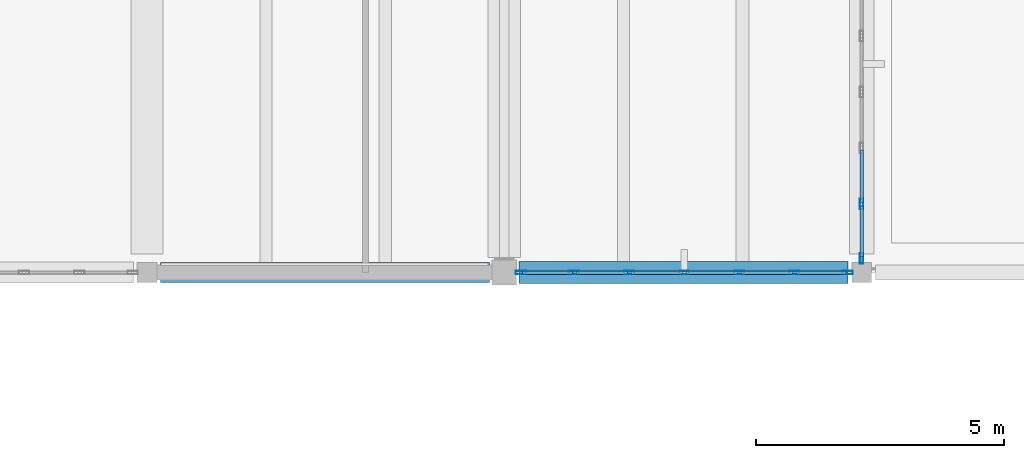
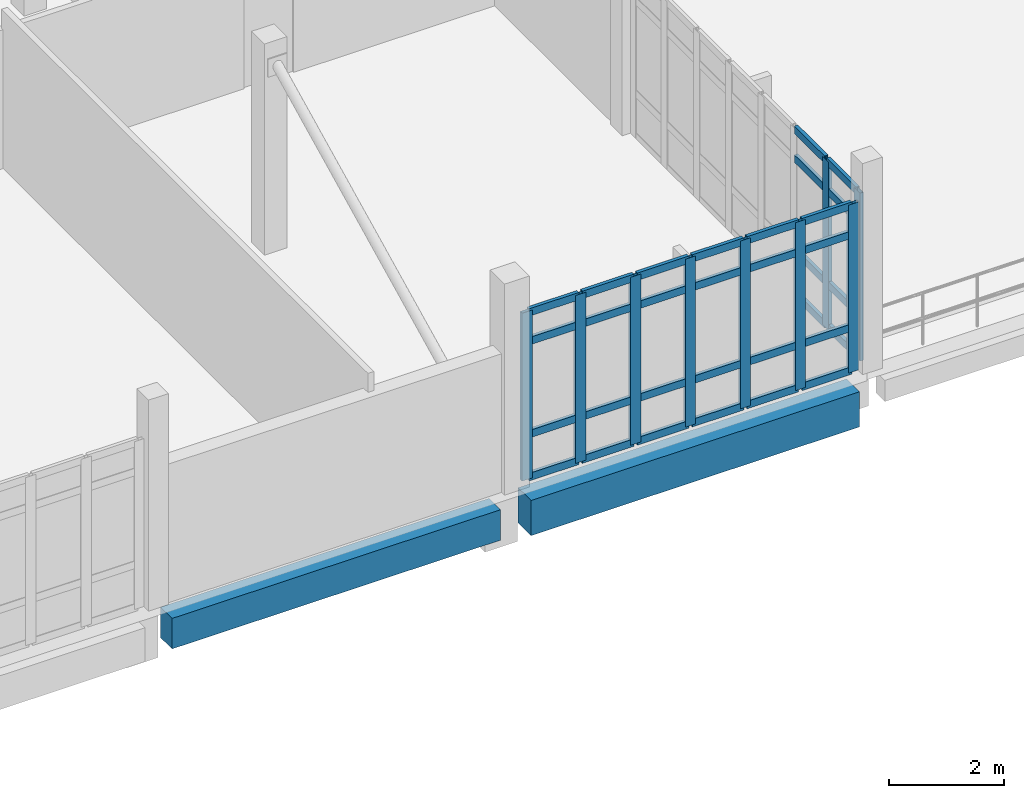
# One storey, part 9 of 34: 41 members, 2 beams, 2 elements without a shape of their own.
"""IFC4 building model written with IfcOpenShell, lengths in metres."""

from ifc_helpers import new_model, si_unit, direction, frame, origin, origin_2d, place, context, subcontext, project, spatial, rectangle, hollow_rectangle, extrude, material, material_profile, profile_set, type_object, element, aggregate, save


model = new_model("IFC4")

# Units and contexts
model_context = context("Model", 3, precision=1e-05, world=origin(), true_north=direction((0.0, 1.0)))
body_context = subcontext(model_context, "Body", "Model", "MODEL_VIEW")
ifc_project = project(units=[si_unit("LENGTHUNIT", "METRE"), si_unit("AREAUNIT", "SQUARE_METRE"), si_unit("VOLUMEUNIT", "CUBIC_METRE"), si_unit("PLANEANGLEUNIT", "RADIAN"), si_unit("MASSUNIT", "GRAM", prefix="KILO")], contexts=[model_context])

# Site, building, storey
site_placement = place(None, origin())
site = spatial("IfcSite", under=ifc_project, at=site_placement, CompositionType="ELEMENT")
building_placement = place(site_placement, origin())
building = spatial("IfcBuilding", under=site, at=building_placement, Name="Kalluvel Institute of Natural Sciences", CompositionType="ELEMENT")
storey_placement = place(building_placement, frame((0.0, 0.0, 36.89990234375)))
storey = spatial("IfcBuildingStorey", under=building, at=storey_placement, Name="L08", CompositionType="ELEMENT", Elevation=36.89990234375)

# Beams
ifc_material_1 = material(Name="Concrete M40", Category="concrete")
ifc_material_profile_1 = material_profile(ifc_material_1, rectangle(XDim=0.39990234375, YDim=0.64990234375, at=origin_2d()), Name="RCB 400x650")
ifc_profile_set_1 = profile_set([ifc_material_profile_1], Name="Concrete M40")
beam_type_1 = type_object("IfcBeamType", Name="BM-RC400x650", PredefinedType="BEAM", material=ifc_profile_set_1)
beam_1_placement = place(storey_placement, frame((71.875, 102.800048828125, -0.64501953125), z_axis=(1.0, 0.0, 0.0), x_axis=(0.0, 1.0, 0.0)))
element("IfcBeam", 1, at=beam_1_placement, inside=storey, type_object=beam_type_1, Name="L08 girder GIR-L08-EW-X716-Y1028", PredefinedType="BEAM", context=body_context, shape_type="SweptSolid", body=[
    extrude(rectangle(XDim=0.39990234375, YDim=0.64990234375, at=origin_2d()), origin(), (0.0, 0.0, 1.0), 6.625),
])
ifc_material_profile_2 = material_profile(ifc_material_1, rectangle(XDim=0.449951171875, YDim=0.75, at=origin_2d()), Name="RCB 450x750")
ifc_profile_set_2 = profile_set([ifc_material_profile_2], Name="Concrete M40")
beam_type_2 = type_object("IfcBeamType", Name="BM-RC450x750", PredefinedType="BEAM", material=ifc_profile_set_2)
beam_2_placement = place(storey_placement, frame((79.10009765625, 102.800048828125, -0.69482421875), z_axis=(1.0, 0.0, 0.0), x_axis=(0.0, 1.0, 0.0)))
element("IfcBeam", 2, at=beam_2_placement, inside=storey, type_object=beam_type_2, Name="L08 girder GIR-L08-EW-X788-Y1028", PredefinedType="BEAM", context=body_context, shape_type="SweptSolid", body=[
    extrude(rectangle(XDim=0.449951171875, YDim=0.75, at=origin_2d()), origin(), (0.0, 0.0, 1.0), 6.625),
])

# Curtain wall, members
ifc_material_2 = material(Name="Aluminium AW-6063 T6", Category="aluminium")
curtain_wall_type = type_object("IfcCurtainWallType", Name="CW-WET-45", PredefinedType="USERDEFINED", material=ifc_material_2)
curtain_wall_1_placement = place(storey_placement, origin())
curtain_wall_1 = element("IfcCurtainWall", 3, at=curtain_wall_1_placement, inside=storey, type_object=curtain_wall_type, Name="L08 Gothic lancet curtain wall CWA-L08-X791-Y1028", ObjectType="UNITISED LANCET FACADE", PredefinedType="USERDEFINED")
ifc_material_profile_3 = material_profile(ifc_material_2, hollow_rectangle(XDim=0.070068359375, YDim=0.2099609375, WallThickness=0.0048828125, at=origin_2d()), Name="CWM 70x210")
ifc_profile_set_3 = profile_set([ifc_material_profile_3], Name="Aluminium AW-6063 T6")
member_type_1 = type_object("IfcMemberType", Name="CWM-70x210", PredefinedType="MULLION", material=ifc_profile_set_3)
member_1_placement = place(storey_placement, frame((79.135009765625, 102.800048828125, 0.0), z_axis=(0.0, 0.0, 1.0), x_axis=(0.0, 1.0, 0.0)))
member_1 = element("IfcMember", 4, at=member_1_placement, type_object=member_type_1, Name="CW-01 mullion 1", PredefinedType="MULLION", context=body_context, shape_type="SweptSolid", body=[
    extrude(hollow_rectangle(XDim=0.070068359375, YDim=0.2099609375, WallThickness=0.0048828125, at=origin_2d()), origin(), (0.0, 0.0, 1.0), 3.580078125),
])
member_2_placement = place(storey_placement, frame((80.208251953125, 102.800048828125, 0.0), z_axis=(0.0, 0.0, 1.0), x_axis=(0.0, 1.0, 0.0)))
member_2 = element("IfcMember", 5, at=member_2_placement, type_object=member_type_1, Name="CW-01 mullion 2", PredefinedType="MULLION", context=body_context, shape_type="SweptSolid", body=[
    extrude(hollow_rectangle(XDim=0.070068359375, YDim=0.2099609375, WallThickness=0.0048828125, at=origin_2d()), origin(), (0.0, 0.0, 1.0), 3.580078125),
])
member_3_placement = place(storey_placement, frame((81.316650390625, 102.800048828125, 0.0), z_axis=(0.0, 0.0, 1.0), x_axis=(0.0, 1.0, 0.0)))
member_3 = element("IfcMember", 6, at=member_3_placement, type_object=member_type_1, Name="CW-01 mullion 3", PredefinedType="MULLION", context=body_context, shape_type="SweptSolid", body=[
    extrude(hollow_rectangle(XDim=0.070068359375, YDim=0.2099609375, WallThickness=0.0048828125, at=origin_2d()), origin(), (0.0, 0.0, 1.0), 3.580078125),
])
member_4_placement = place(storey_placement, frame((82.425048828125, 102.800048828125, 0.0), z_axis=(0.0, 0.0, 1.0), x_axis=(0.0, 1.0, 0.0)))
member_4 = element("IfcMember", 7, at=member_4_placement, type_object=member_type_1, Name="CW-01 mullion 4", PredefinedType="MULLION", context=body_context, shape_type="SweptSolid", body=[
    extrude(hollow_rectangle(XDim=0.070068359375, YDim=0.2099609375, WallThickness=0.0048828125, at=origin_2d()), origin(), (0.0, 0.0, 1.0), 3.580078125),
])
member_5_placement = place(storey_placement, frame((83.533447265625, 102.800048828125, 0.0), z_axis=(0.0, 0.0, 1.0), x_axis=(0.0, 1.0, 0.0)))
member_5 = element("IfcMember", 8, at=member_5_placement, type_object=member_type_1, Name="CW-01 mullion 5", PredefinedType="MULLION", context=body_context, shape_type="SweptSolid", body=[
    extrude(hollow_rectangle(XDim=0.070068359375, YDim=0.2099609375, WallThickness=0.0048828125, at=origin_2d()), origin(), (0.0, 0.0, 1.0), 3.580078125),
])
member_6_placement = place(storey_placement, frame((84.6416015625, 102.800048828125, 0.0), z_axis=(0.0, 0.0, 1.0), x_axis=(0.0, 1.0, 0.0)))
member_6 = element("IfcMember", 9, at=member_6_placement, type_object=member_type_1, Name="CW-01 mullion 6", PredefinedType="MULLION", context=body_context, shape_type="SweptSolid", body=[
    extrude(hollow_rectangle(XDim=0.070068359375, YDim=0.2099609375, WallThickness=0.0048828125, at=origin_2d()), origin(), (0.0, 0.0, 1.0), 3.580078125),
])
member_7_placement = place(storey_placement, frame((85.715087890625, 102.800048828125, 0.0), z_axis=(0.0, 0.0, 1.0), x_axis=(0.0, 1.0, 0.0)))
member_7 = element("IfcMember", 10, at=member_7_placement, type_object=member_type_1, Name="CW-01 mullion 7", PredefinedType="MULLION", context=body_context, shape_type="SweptSolid", body=[
    extrude(hollow_rectangle(XDim=0.070068359375, YDim=0.2099609375, WallThickness=0.0048828125, at=origin_2d()), origin(), (0.0, 0.0, 1.0), 3.580078125),
])

curtain_wall_2_placement = place(storey_placement, origin())
curtain_wall_2 = element("IfcCurtainWall", 11, at=curtain_wall_2_placement, inside=storey, type_object=curtain_wall_type, Name="L08 Gothic lancet curtain wall CWA-L08-X860-Y1030", ObjectType="UNITISED LANCET FACADE", PredefinedType="USERDEFINED")
member_8_placement = place(storey_placement, frame((86.0, 103.0849609375, 0.0), z_axis=(0.0, 0.0, 1.0), x_axis=(-1.0, 0.0, 0.0)))
member_8 = element("IfcMember", 12, at=member_8_placement, type_object=member_type_1, Name="CW-01 mullion 1", PredefinedType="MULLION", context=body_context, shape_type="SweptSolid", body=[
    extrude(hollow_rectangle(XDim=0.070068359375, YDim=0.2099609375, WallThickness=0.0048828125, at=origin_2d()), origin(), (0.0, 0.0, 1.0), 3.580078125),
])
member_9_placement = place(storey_placement, frame((86.0, 104.178466796875, 0.0), z_axis=(0.0, 0.0, 1.0), x_axis=(-1.0, 0.0, 0.0)))
member_9 = element("IfcMember", 13, at=member_9_placement, type_object=member_type_1, Name="CW-01 mullion 2", PredefinedType="MULLION", context=body_context, shape_type="SweptSolid", body=[
    extrude(hollow_rectangle(XDim=0.070068359375, YDim=0.2099609375, WallThickness=0.0048828125, at=origin_2d()), origin(), (0.0, 0.0, 1.0), 3.580078125),
])

# Member
ifc_material_profile_4 = material_profile(ifc_material_2, hollow_rectangle(XDim=0.070068359375, YDim=0.159912109375, WallThickness=0.0048828125, at=origin_2d()), Name="CWT 70x160")
ifc_profile_set_4 = profile_set([ifc_material_profile_4], Name="Aluminium AW-6063 T6")
member_type_2 = type_object("IfcMemberType", Name="CWT-70x160", PredefinedType="USERDEFINED", material=ifc_profile_set_4)
member_10_placement = place(storey_placement, frame((79.169921875, 102.800048828125, 0.03515625), z_axis=(1.0, 0.0, 0.0), x_axis=(0.0, 1.0, 0.0)))
member_10 = element("IfcMember", 14, at=member_10_placement, type_object=member_type_2, Name="CW-01 transom 1.1", ObjectType="TRANSOM", PredefinedType="USERDEFINED", context=body_context, shape_type="SweptSolid", body=[
    extrude(hollow_rectangle(XDim=0.070068359375, YDim=0.159912109375, WallThickness=0.0048828125, at=origin_2d()), origin(), (0.0, 0.0, 1.0), 1.00341796875),
])

member_11_placement = place(storey_placement, frame((79.169921875, 102.800048828125, 0.9501953125), z_axis=(1.0, 0.0, 0.0), x_axis=(0.0, 1.0, 0.0)))
member_11 = element("IfcMember", 15, at=member_11_placement, type_object=member_type_2, Name="CW-01 transom 1.2", ObjectType="TRANSOM", PredefinedType="USERDEFINED", context=body_context, shape_type="SweptSolid", body=[
    extrude(hollow_rectangle(XDim=0.070068359375, YDim=0.159912109375, WallThickness=0.0048828125, at=origin_2d()), origin(), (0.0, 0.0, 1.0), 1.00341796875),
])

member_12_placement = place(storey_placement, frame((79.169921875, 102.800048828125, 2.93017578125), z_axis=(1.0, 0.0, 0.0), x_axis=(0.0, 1.0, 0.0)))
member_12 = element("IfcMember", 16, at=member_12_placement, type_object=member_type_2, Name="CW-01 transom 1.3", ObjectType="TRANSOM", PredefinedType="USERDEFINED", context=body_context, shape_type="SweptSolid", body=[
    extrude(hollow_rectangle(XDim=0.070068359375, YDim=0.159912109375, WallThickness=0.0048828125, at=origin_2d()), origin(), (0.0, 0.0, 1.0), 1.00341796875),
])

member_13_placement = place(storey_placement, frame((79.169921875, 102.800048828125, 3.545166015625), z_axis=(1.0, 0.0, 0.0), x_axis=(0.0, 1.0, 0.0)))
member_13 = element("IfcMember", 17, at=member_13_placement, type_object=member_type_2, Name="CW-01 transom 1.4", ObjectType="TRANSOM", PredefinedType="USERDEFINED", context=body_context, shape_type="SweptSolid", body=[
    extrude(hollow_rectangle(XDim=0.070068359375, YDim=0.159912109375, WallThickness=0.0048828125, at=origin_2d()), origin(), (0.0, 0.0, 1.0), 1.00341796875),
])

member_14_placement = place(storey_placement, frame((80.243408203125, 102.800048828125, 0.03515625), z_axis=(1.0, 0.0, 0.0), x_axis=(0.0, 1.0, 0.0)))
member_14 = element("IfcMember", 18, at=member_14_placement, type_object=member_type_2, Name="CW-01 transom 2.1", ObjectType="TRANSOM", PredefinedType="USERDEFINED", context=body_context, shape_type="SweptSolid", body=[
    extrude(hollow_rectangle(XDim=0.070068359375, YDim=0.159912109375, WallThickness=0.0048828125, at=origin_2d()), origin(), (0.0, 0.0, 1.0), 1.038330078125),
])

member_15_placement = place(storey_placement, frame((80.243408203125, 102.800048828125, 0.9501953125), z_axis=(1.0, 0.0, 0.0), x_axis=(0.0, 1.0, 0.0)))
member_15 = element("IfcMember", 19, at=member_15_placement, type_object=member_type_2, Name="CW-01 transom 2.2", ObjectType="TRANSOM", PredefinedType="USERDEFINED", context=body_context, shape_type="SweptSolid", body=[
    extrude(hollow_rectangle(XDim=0.070068359375, YDim=0.159912109375, WallThickness=0.0048828125, at=origin_2d()), origin(), (0.0, 0.0, 1.0), 1.038330078125),
])

member_16_placement = place(storey_placement, frame((80.243408203125, 102.800048828125, 2.93017578125), z_axis=(1.0, 0.0, 0.0), x_axis=(0.0, 1.0, 0.0)))
member_16 = element("IfcMember", 20, at=member_16_placement, type_object=member_type_2, Name="CW-01 transom 2.3", ObjectType="TRANSOM", PredefinedType="USERDEFINED", context=body_context, shape_type="SweptSolid", body=[
    extrude(hollow_rectangle(XDim=0.070068359375, YDim=0.159912109375, WallThickness=0.0048828125, at=origin_2d()), origin(), (0.0, 0.0, 1.0), 1.038330078125),
])

member_17_placement = place(storey_placement, frame((80.243408203125, 102.800048828125, 3.545166015625), z_axis=(1.0, 0.0, 0.0), x_axis=(0.0, 1.0, 0.0)))
member_17 = element("IfcMember", 21, at=member_17_placement, type_object=member_type_2, Name="CW-01 transom 2.4", ObjectType="TRANSOM", PredefinedType="USERDEFINED", context=body_context, shape_type="SweptSolid", body=[
    extrude(hollow_rectangle(XDim=0.070068359375, YDim=0.159912109375, WallThickness=0.0048828125, at=origin_2d()), origin(), (0.0, 0.0, 1.0), 1.038330078125),
])

member_18_placement = place(storey_placement, frame((81.3515625, 102.800048828125, 0.03515625), z_axis=(1.0, 0.0, 0.0), x_axis=(0.0, 1.0, 0.0)))
member_18 = element("IfcMember", 22, at=member_18_placement, type_object=member_type_2, Name="CW-01 transom 3.1", ObjectType="TRANSOM", PredefinedType="USERDEFINED", context=body_context, shape_type="SweptSolid", body=[
    extrude(hollow_rectangle(XDim=0.070068359375, YDim=0.159912109375, WallThickness=0.0048828125, at=origin_2d()), origin(), (0.0, 0.0, 1.0), 1.038330078125),
])

member_19_placement = place(storey_placement, frame((81.3515625, 102.800048828125, 0.9501953125), z_axis=(1.0, 0.0, 0.0), x_axis=(0.0, 1.0, 0.0)))
member_19 = element("IfcMember", 23, at=member_19_placement, type_object=member_type_2, Name="CW-01 transom 3.2", ObjectType="TRANSOM", PredefinedType="USERDEFINED", context=body_context, shape_type="SweptSolid", body=[
    extrude(hollow_rectangle(XDim=0.070068359375, YDim=0.159912109375, WallThickness=0.0048828125, at=origin_2d()), origin(), (0.0, 0.0, 1.0), 1.038330078125),
])

member_20_placement = place(storey_placement, frame((81.3515625, 102.800048828125, 2.93017578125), z_axis=(1.0, 0.0, 0.0), x_axis=(0.0, 1.0, 0.0)))
member_20 = element("IfcMember", 24, at=member_20_placement, type_object=member_type_2, Name="CW-01 transom 3.3", ObjectType="TRANSOM", PredefinedType="USERDEFINED", context=body_context, shape_type="SweptSolid", body=[
    extrude(hollow_rectangle(XDim=0.070068359375, YDim=0.159912109375, WallThickness=0.0048828125, at=origin_2d()), origin(), (0.0, 0.0, 1.0), 1.038330078125),
])

member_21_placement = place(storey_placement, frame((81.3515625, 102.800048828125, 3.545166015625), z_axis=(1.0, 0.0, 0.0), x_axis=(0.0, 1.0, 0.0)))
member_21 = element("IfcMember", 25, at=member_21_placement, type_object=member_type_2, Name="CW-01 transom 3.4", ObjectType="TRANSOM", PredefinedType="USERDEFINED", context=body_context, shape_type="SweptSolid", body=[
    extrude(hollow_rectangle(XDim=0.070068359375, YDim=0.159912109375, WallThickness=0.0048828125, at=origin_2d()), origin(), (0.0, 0.0, 1.0), 1.038330078125),
])

member_22_placement = place(storey_placement, frame((82.4599609375, 102.800048828125, 0.03515625), z_axis=(1.0, 0.0, 0.0), x_axis=(0.0, 1.0, 0.0)))
member_22 = element("IfcMember", 26, at=member_22_placement, type_object=member_type_2, Name="CW-01 transom 4.1", ObjectType="TRANSOM", PredefinedType="USERDEFINED", context=body_context, shape_type="SweptSolid", body=[
    extrude(hollow_rectangle(XDim=0.070068359375, YDim=0.159912109375, WallThickness=0.0048828125, at=origin_2d()), origin(), (0.0, 0.0, 1.0), 1.038330078125),
])

member_23_placement = place(storey_placement, frame((82.4599609375, 102.800048828125, 0.9501953125), z_axis=(1.0, 0.0, 0.0), x_axis=(0.0, 1.0, 0.0)))
member_23 = element("IfcMember", 27, at=member_23_placement, type_object=member_type_2, Name="CW-01 transom 4.2", ObjectType="TRANSOM", PredefinedType="USERDEFINED", context=body_context, shape_type="SweptSolid", body=[
    extrude(hollow_rectangle(XDim=0.070068359375, YDim=0.159912109375, WallThickness=0.0048828125, at=origin_2d()), origin(), (0.0, 0.0, 1.0), 1.038330078125),
])

member_24_placement = place(storey_placement, frame((82.4599609375, 102.800048828125, 2.93017578125), z_axis=(1.0, 0.0, 0.0), x_axis=(0.0, 1.0, 0.0)))
member_24 = element("IfcMember", 28, at=member_24_placement, type_object=member_type_2, Name="CW-01 transom 4.3", ObjectType="TRANSOM", PredefinedType="USERDEFINED", context=body_context, shape_type="SweptSolid", body=[
    extrude(hollow_rectangle(XDim=0.070068359375, YDim=0.159912109375, WallThickness=0.0048828125, at=origin_2d()), origin(), (0.0, 0.0, 1.0), 1.038330078125),
])

member_25_placement = place(storey_placement, frame((82.4599609375, 102.800048828125, 3.545166015625), z_axis=(1.0, 0.0, 0.0), x_axis=(0.0, 1.0, 0.0)))
member_25 = element("IfcMember", 29, at=member_25_placement, type_object=member_type_2, Name="CW-01 transom 4.4", ObjectType="TRANSOM", PredefinedType="USERDEFINED", context=body_context, shape_type="SweptSolid", body=[
    extrude(hollow_rectangle(XDim=0.070068359375, YDim=0.159912109375, WallThickness=0.0048828125, at=origin_2d()), origin(), (0.0, 0.0, 1.0), 1.038330078125),
])

member_26_placement = place(storey_placement, frame((83.568359375, 102.800048828125, 0.03515625), z_axis=(1.0, 0.0, 0.0), x_axis=(0.0, 1.0, 0.0)))
member_26 = element("IfcMember", 30, at=member_26_placement, type_object=member_type_2, Name="CW-01 transom 5.1", ObjectType="TRANSOM", PredefinedType="USERDEFINED", context=body_context, shape_type="SweptSolid", body=[
    extrude(hollow_rectangle(XDim=0.070068359375, YDim=0.159912109375, WallThickness=0.0048828125, at=origin_2d()), origin(), (0.0, 0.0, 1.0), 1.038330078125),
])

member_27_placement = place(storey_placement, frame((83.568359375, 102.800048828125, 0.9501953125), z_axis=(1.0, 0.0, 0.0), x_axis=(0.0, 1.0, 0.0)))
member_27 = element("IfcMember", 31, at=member_27_placement, type_object=member_type_2, Name="CW-01 transom 5.2", ObjectType="TRANSOM", PredefinedType="USERDEFINED", context=body_context, shape_type="SweptSolid", body=[
    extrude(hollow_rectangle(XDim=0.070068359375, YDim=0.159912109375, WallThickness=0.0048828125, at=origin_2d()), origin(), (0.0, 0.0, 1.0), 1.038330078125),
])

member_28_placement = place(storey_placement, frame((83.568359375, 102.800048828125, 2.93017578125), z_axis=(1.0, 0.0, 0.0), x_axis=(0.0, 1.0, 0.0)))
member_28 = element("IfcMember", 32, at=member_28_placement, type_object=member_type_2, Name="CW-01 transom 5.3", ObjectType="TRANSOM", PredefinedType="USERDEFINED", context=body_context, shape_type="SweptSolid", body=[
    extrude(hollow_rectangle(XDim=0.070068359375, YDim=0.159912109375, WallThickness=0.0048828125, at=origin_2d()), origin(), (0.0, 0.0, 1.0), 1.038330078125),
])

member_29_placement = place(storey_placement, frame((83.568359375, 102.800048828125, 3.545166015625), z_axis=(1.0, 0.0, 0.0), x_axis=(0.0, 1.0, 0.0)))
member_29 = element("IfcMember", 33, at=member_29_placement, type_object=member_type_2, Name="CW-01 transom 5.4", ObjectType="TRANSOM", PredefinedType="USERDEFINED", context=body_context, shape_type="SweptSolid", body=[
    extrude(hollow_rectangle(XDim=0.070068359375, YDim=0.159912109375, WallThickness=0.0048828125, at=origin_2d()), origin(), (0.0, 0.0, 1.0), 1.038330078125),
])

member_30_placement = place(storey_placement, frame((84.6767578125, 102.800048828125, 0.03515625), z_axis=(1.0, 0.0, 0.0), x_axis=(0.0, 1.0, 0.0)))
member_30 = element("IfcMember", 34, at=member_30_placement, type_object=member_type_2, Name="CW-01 transom 6.1", ObjectType="TRANSOM", PredefinedType="USERDEFINED", context=body_context, shape_type="SweptSolid", body=[
    extrude(hollow_rectangle(XDim=0.070068359375, YDim=0.159912109375, WallThickness=0.0048828125, at=origin_2d()), origin(), (0.0, 0.0, 1.0), 1.003173828125),
])

member_31_placement = place(storey_placement, frame((84.6767578125, 102.800048828125, 0.9501953125), z_axis=(1.0, 0.0, 0.0), x_axis=(0.0, 1.0, 0.0)))
member_31 = element("IfcMember", 35, at=member_31_placement, type_object=member_type_2, Name="CW-01 transom 6.2", ObjectType="TRANSOM", PredefinedType="USERDEFINED", context=body_context, shape_type="SweptSolid", body=[
    extrude(hollow_rectangle(XDim=0.070068359375, YDim=0.159912109375, WallThickness=0.0048828125, at=origin_2d()), origin(), (0.0, 0.0, 1.0), 1.003173828125),
])

member_32_placement = place(storey_placement, frame((84.6767578125, 102.800048828125, 2.93017578125), z_axis=(1.0, 0.0, 0.0), x_axis=(0.0, 1.0, 0.0)))
member_32 = element("IfcMember", 36, at=member_32_placement, type_object=member_type_2, Name="CW-01 transom 6.3", ObjectType="TRANSOM", PredefinedType="USERDEFINED", context=body_context, shape_type="SweptSolid", body=[
    extrude(hollow_rectangle(XDim=0.070068359375, YDim=0.159912109375, WallThickness=0.0048828125, at=origin_2d()), origin(), (0.0, 0.0, 1.0), 1.003173828125),
])

member_33_placement = place(storey_placement, frame((84.6767578125, 102.800048828125, 3.545166015625), z_axis=(1.0, 0.0, 0.0), x_axis=(0.0, 1.0, 0.0)))
member_33 = element("IfcMember", 37, at=member_33_placement, type_object=member_type_2, Name="CW-01 transom 6.4", ObjectType="TRANSOM", PredefinedType="USERDEFINED", context=body_context, shape_type="SweptSolid", body=[
    extrude(hollow_rectangle(XDim=0.070068359375, YDim=0.159912109375, WallThickness=0.0048828125, at=origin_2d()), origin(), (0.0, 0.0, 1.0), 1.003173828125),
])

aggregate(curtain_wall_1, [member_1, member_2, member_3, member_4, member_5, member_6, member_7, member_10, member_11, member_12, member_13, member_14, member_15, member_16, member_17, member_18, member_19, member_20, member_21, member_22, member_23, member_24, member_25, member_26, member_27, member_28, member_29, member_30, member_31, member_32, member_33])

member_34_placement = place(storey_placement, frame((86.0, 103.1201171875, 0.03515625), z_axis=(0.0, 1.0, 0.0), x_axis=(-1.0, 0.0, 0.0)))
member_34 = element("IfcMember", 38, at=member_34_placement, type_object=member_type_2, Name="CW-01 transom 1.1", ObjectType="TRANSOM", PredefinedType="USERDEFINED", context=body_context, shape_type="SweptSolid", body=[
    extrude(hollow_rectangle(XDim=0.070068359375, YDim=0.159912109375, WallThickness=0.0048828125, at=origin_2d()), origin(), (0.0, 0.0, 1.0), 1.0234375),
])

member_35_placement = place(storey_placement, frame((86.0, 103.1201171875, 0.9501953125), z_axis=(0.0, 1.0, 0.0), x_axis=(-1.0, 0.0, 0.0)))
member_35 = element("IfcMember", 39, at=member_35_placement, type_object=member_type_2, Name="CW-01 transom 1.2", ObjectType="TRANSOM", PredefinedType="USERDEFINED", context=body_context, shape_type="SweptSolid", body=[
    extrude(hollow_rectangle(XDim=0.070068359375, YDim=0.159912109375, WallThickness=0.0048828125, at=origin_2d()), origin(), (0.0, 0.0, 1.0), 1.0234375),
])

member_36_placement = place(storey_placement, frame((86.0, 103.1201171875, 2.93017578125), z_axis=(0.0, 1.0, 0.0), x_axis=(-1.0, 0.0, 0.0)))
member_36 = element("IfcMember", 40, at=member_36_placement, type_object=member_type_2, Name="CW-01 transom 1.3", ObjectType="TRANSOM", PredefinedType="USERDEFINED", context=body_context, shape_type="SweptSolid", body=[
    extrude(hollow_rectangle(XDim=0.070068359375, YDim=0.159912109375, WallThickness=0.0048828125, at=origin_2d()), origin(), (0.0, 0.0, 1.0), 1.0234375),
])

member_37_placement = place(storey_placement, frame((86.0, 103.1201171875, 3.545166015625), z_axis=(0.0, 1.0, 0.0), x_axis=(-1.0, 0.0, 0.0)))
member_37 = element("IfcMember", 41, at=member_37_placement, type_object=member_type_2, Name="CW-01 transom 1.4", ObjectType="TRANSOM", PredefinedType="USERDEFINED", context=body_context, shape_type="SweptSolid", body=[
    extrude(hollow_rectangle(XDim=0.070068359375, YDim=0.159912109375, WallThickness=0.0048828125, at=origin_2d()), origin(), (0.0, 0.0, 1.0), 1.0234375),
])

member_38_placement = place(storey_placement, frame((86.0, 104.213623046875, 0.03515625), z_axis=(0.0, 1.0, 0.0), x_axis=(-1.0, 0.0, 0.0)))
member_38 = element("IfcMember", 42, at=member_38_placement, type_object=member_type_2, Name="CW-01 transom 2.1", ObjectType="TRANSOM", PredefinedType="USERDEFINED", context=body_context, shape_type="SweptSolid", body=[
    extrude(hollow_rectangle(XDim=0.070068359375, YDim=0.159912109375, WallThickness=0.0048828125, at=origin_2d()), origin(), (0.0, 0.0, 1.0), 1.05859375),
])

member_39_placement = place(storey_placement, frame((86.0, 104.213623046875, 0.9501953125), z_axis=(0.0, 1.0, 0.0), x_axis=(-1.0, 0.0, 0.0)))
member_39 = element("IfcMember", 43, at=member_39_placement, type_object=member_type_2, Name="CW-01 transom 2.2", ObjectType="TRANSOM", PredefinedType="USERDEFINED", context=body_context, shape_type="SweptSolid", body=[
    extrude(hollow_rectangle(XDim=0.070068359375, YDim=0.159912109375, WallThickness=0.0048828125, at=origin_2d()), origin(), (0.0, 0.0, 1.0), 1.05859375),
])

member_40_placement = place(storey_placement, frame((86.0, 104.213623046875, 2.93017578125), z_axis=(0.0, 1.0, 0.0), x_axis=(-1.0, 0.0, 0.0)))
member_40 = element("IfcMember", 44, at=member_40_placement, type_object=member_type_2, Name="CW-01 transom 2.3", ObjectType="TRANSOM", PredefinedType="USERDEFINED", context=body_context, shape_type="SweptSolid", body=[
    extrude(hollow_rectangle(XDim=0.070068359375, YDim=0.159912109375, WallThickness=0.0048828125, at=origin_2d()), origin(), (0.0, 0.0, 1.0), 1.05859375),
])

member_41_placement = place(storey_placement, frame((86.0, 104.213623046875, 3.545166015625), z_axis=(0.0, 1.0, 0.0), x_axis=(-1.0, 0.0, 0.0)))
member_41 = element("IfcMember", 45, at=member_41_placement, type_object=member_type_2, Name="CW-01 transom 2.4", ObjectType="TRANSOM", PredefinedType="USERDEFINED", context=body_context, shape_type="SweptSolid", body=[
    extrude(hollow_rectangle(XDim=0.070068359375, YDim=0.159912109375, WallThickness=0.0048828125, at=origin_2d()), origin(), (0.0, 0.0, 1.0), 1.05859375),
])

aggregate(curtain_wall_2, [member_8, member_9, member_34, member_35, member_36, member_37, member_38, member_39, member_40, member_41])

save(model, "model.ifc")
